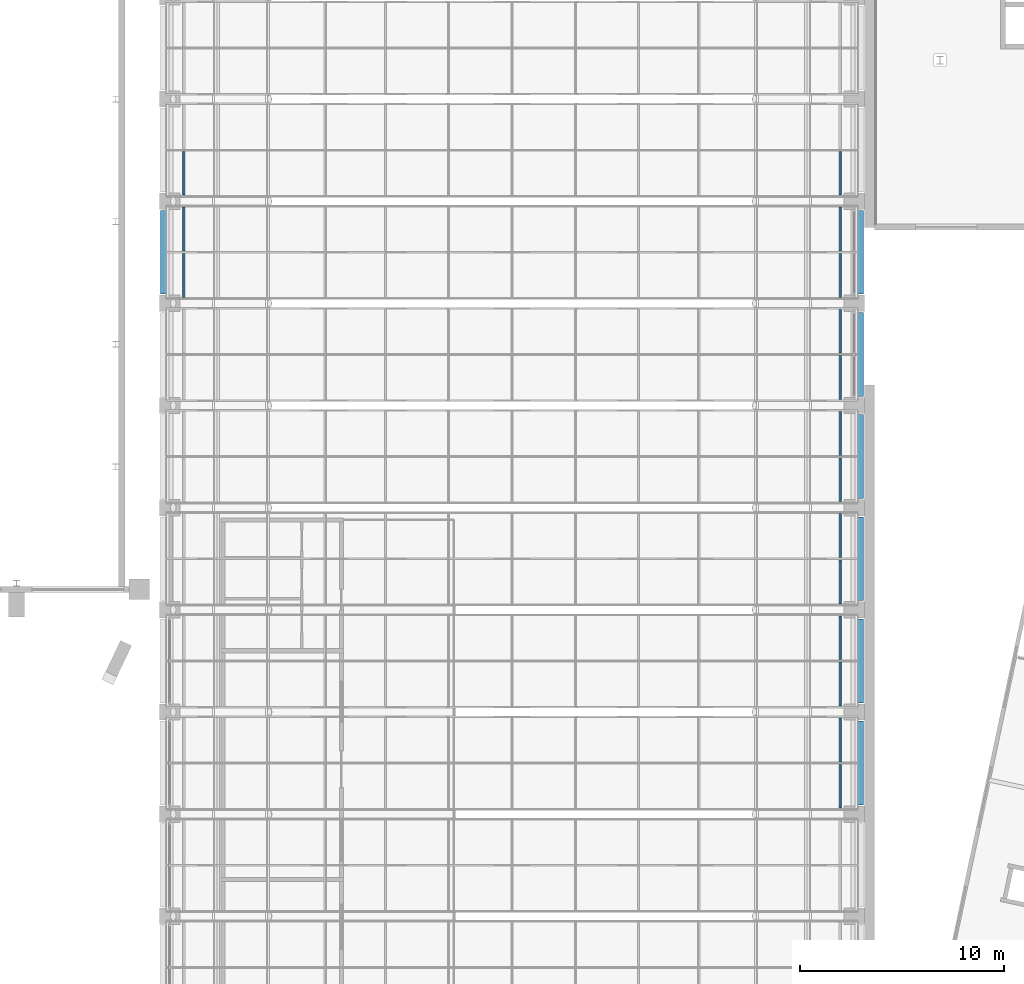
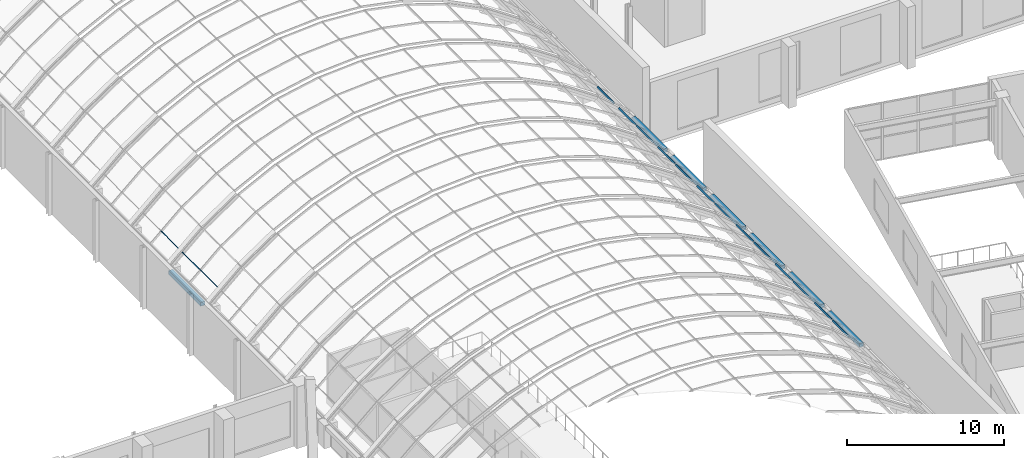
# One storey, part 155 of 182: 23 discrete accessories.
"""IFC4 building model written with IfcOpenShell, lengths in metres."""

from ifc_helpers import new_model, si_unit, direction, frame, origin, origin_2d, place, context, subcontext, project, spatial, polyline, rectangle, outline, extrude, material, type_object, element, save


model = new_model("IFC4")

# Units and contexts
model_context = context("Model", 3, precision=1e-05, world=origin(), true_north=direction((0.0, 1.0)))
body_context = subcontext(model_context, "Body", "Model", "MODEL_VIEW")
ifc_project = project(units=[si_unit("LENGTHUNIT", "METRE"), si_unit("AREAUNIT", "SQUARE_METRE"), si_unit("VOLUMEUNIT", "CUBIC_METRE"), si_unit("PLANEANGLEUNIT", "RADIAN"), si_unit("MASSUNIT", "GRAM", prefix="KILO")], contexts=[model_context])

# Site, building, storey
site_placement = place(None, origin())
site = spatial("IfcSite", under=ifc_project, at=site_placement, CompositionType="ELEMENT")
building_placement = place(site_placement, origin())
building = spatial("IfcBuilding", under=site, at=building_placement, Name="Okhra Congress Centre", CompositionType="ELEMENT")
storey_placement = place(building_placement, frame((0.0, 0.0, 7.199951171875)))
storey = spatial("IfcBuildingStorey", under=building, at=storey_placement, Name="L01", CompositionType="ELEMENT", Elevation=7.199951171875)

# Discrete accessories
ifc_material_1 = material(Name="Stainless steel box gutter with self-regulating heating cable", Category="steel")
discrete_accessory_type_1 = type_object("IfcDiscreteAccessoryType", Name="Heated eaves gutter 300x300", PredefinedType="USERDEFINED", material=ifc_material_1)
for number, where, z_axis, x_axis, name in (
    (1, (189.300048828125, 123.5, 1.5), (0.0, 0.0, 1.0), (1.0, 0.0, 0.0), "Heated eaves gutter"),
    (2, (189.300048828125, 128.5, 1.5), (0.0, 0.0, 1.0), (1.0, 0.0, 0.0), "Heated eaves gutter"),
    (3, (189.300048828125, 133.5, 1.5), (0.0, 0.0, 1.0), (1.0, 0.0, 0.0), "Heated eaves gutter"),
    (4, (189.300048828125, 138.5, 1.5), (0.0, 0.0, 1.0), (1.0, 0.0, 0.0), "Heated eaves gutter"),
    (5, (189.300048828125, 143.5, 1.5), (0.0, 0.0, 1.0), (1.0, 0.0, 0.0), "Heated eaves gutter"),
    (6, (155.199951171875, 148.5, 1.5), (0.0, 0.0, 1.0), (1.0, 0.0, 0.0), "Heated eaves gutter"),
    (7, (189.300048828125, 148.5, 1.5), (0.0, 0.0, 1.0), (1.0, 0.0, 0.0), "Heated eaves gutter"),
):
    element("IfcDiscreteAccessory", number, at=place(storey_placement, frame(where, z_axis=z_axis, x_axis=x_axis)), inside=storey, type_object=discrete_accessory_type_1, Name=name, ObjectType="HEATED GUTTER", PredefinedType="USERDEFINED", context=body_context, shape_type="SweptSolid", body=[
        extrude(rectangle(XDim=0.300048828125, YDim=4.10009765625, at=origin_2d()), origin(), (0.0, 0.0, 1.0), 0.300048828125),
    ])
ifc_material_2 = material(Name="Stainless steel snow retention bar clamped to the standing seams", Category="steel")
discrete_accessory_type_2 = type_object("IfcDiscreteAccessoryType", Name="Snow guard bar 40x120", PredefinedType="USERDEFINED", material=ifc_material_2)
for number, where, z_axis, x_axis, name in (
    (8, (188.34521484375, 121.293212890625, 2.772216796875), (0.666258670845, 0.0, 0.745720714157), (0.745720714157, 0.0, -0.666258670845), "Snow guard bar"),
    (9, (188.34521484375, 123.56005859375, 2.772216796875), (0.666258670845, 0.0, 0.745720714157), (0.745720714157, 0.0, -0.666258670845), "Snow guard bar"),
    (10, (188.34521484375, 126.293212890625, 2.772216796875), (0.666258670845, 0.0, 0.745720714157), (0.745720714157, 0.0, -0.666258670845), "Snow guard bar"),
    (11, (188.34521484375, 128.56005859375, 2.772216796875), (0.666258670845, 0.0, 0.745720714157), (0.745720714157, 0.0, -0.666258670845), "Snow guard bar"),
    (12, (188.34521484375, 131.293212890625, 2.772216796875), (0.666258670845, 0.0, 0.745720714157), (0.745720714157, 0.0, -0.666258670845), "Snow guard bar"),
    (13, (188.34521484375, 133.56005859375, 2.772216796875), (0.666258670845, 0.0, 0.745720714157), (0.745720714157, 0.0, -0.666258670845), "Snow guard bar"),
    (14, (188.34521484375, 136.293212890625, 2.772216796875), (0.666258670845, 0.0, 0.745720714157), (0.745720714157, 0.0, -0.666258670845), "Snow guard bar"),
    (15, (188.34521484375, 138.56005859375, 2.772216796875), (0.666258670845, 0.0, 0.745720714157), (0.745720714157, 0.0, -0.666258670845), "Snow guard bar"),
    (16, (188.34521484375, 141.293212890625, 2.772216796875), (0.666258670845, 0.0, 0.745720714157), (0.745720714157, 0.0, -0.666258670845), "Snow guard bar"),
    (17, (188.34521484375, 143.56005859375, 2.772216796875), (0.666258670845, 0.0, 0.745720714157), (0.745720714157, 0.0, -0.666258670845), "Snow guard bar"),
    (18, (156.125, 146.293212890625, 2.74560546875), (-0.666258670845, 0.0, 0.745720714157), (0.745720714157, 0.0, 0.666258670845), "Snow guard bar"),
    (19, (156.125, 148.56005859375, 2.74560546875), (-0.666258670845, 0.0, 0.745720714157), (0.745720714157, 0.0, 0.666258670845), "Snow guard bar"),
    (20, (188.34521484375, 146.293212890625, 2.772216796875), (0.666258670845, 0.0, 0.745720714157), (0.745720714157, 0.0, -0.666258670845), "Snow guard bar"),
    (21, (188.34521484375, 148.56005859375, 2.772216796875), (0.666258670845, 0.0, 0.745720714157), (0.745720714157, 0.0, -0.666258670845), "Snow guard bar"),
    (22, (156.125, 151.293212890625, 2.74560546875), (-0.666258670845, 0.0, 0.745720714157), (0.745720714157, 0.0, 0.666258670845), "Snow guard bar"),
    (23, (188.34521484375, 151.293212890625, 2.772216796875), (0.666258670845, 0.0, 0.745720714157), (0.745720714157, 0.0, -0.666258670845), "Snow guard bar"),
):
    element("IfcDiscreteAccessory", number, at=place(storey_placement, frame(where, z_axis=z_axis, x_axis=x_axis)), inside=storey, type_object=discrete_accessory_type_2, Name=name, ObjectType="SNOW GUARD", PredefinedType="USERDEFINED", context=body_context, shape_type="SweptSolid", body=[
        extrude(outline(polyline([(0.0, 0.0), (0.03994143609603103, 0.0), (0.03994143609603103, 2.1467285156250004), (0.0, 2.1467285156250004), (0.0, 0.0)])), origin(), (0.0, 0.0, -1.0), 0.1201171875),
    ])

save(model, "model.ifc")
